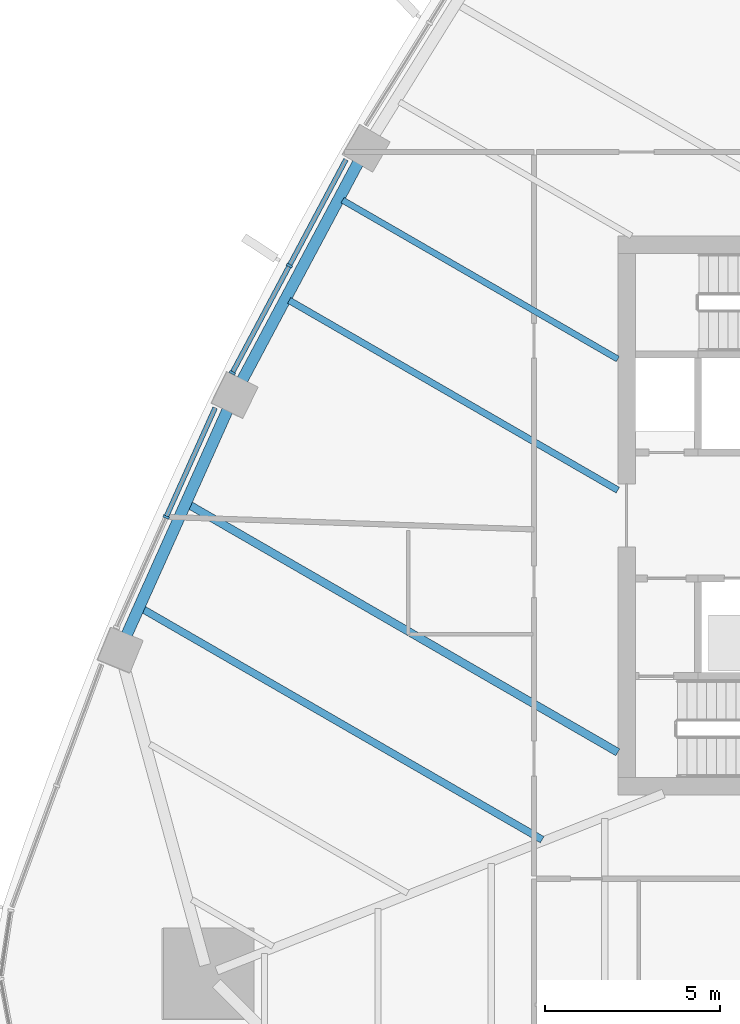
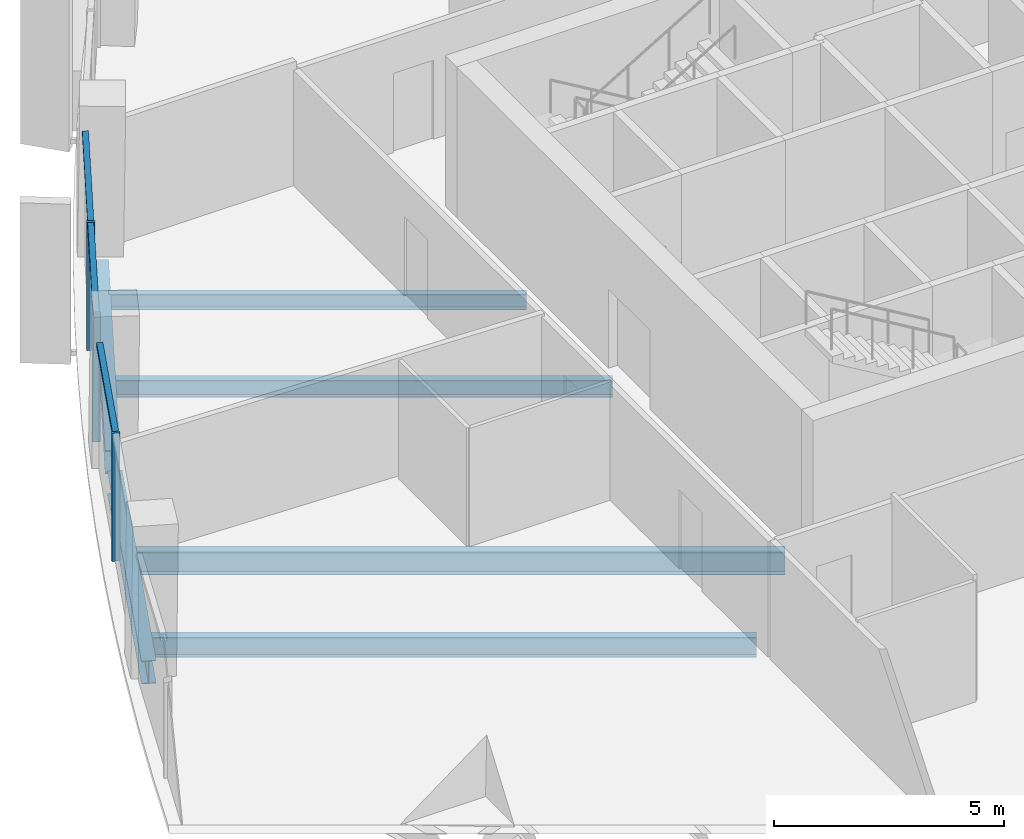
# One storey, part 3 of 19: 6 beams, 6 members, 2 elements without a shape of their own.
"""IFC4 building model written with IfcOpenShell, lengths in metres."""

from ifc_helpers import new_model, si_unit, direction, frame, origin, origin_2d, place, context, subcontext, project, spatial, rectangle, i_section, extrude, material, layer, layer_set, material_profile, profile_set, type_object, element, aggregate, save


model = new_model("IFC4")

# Units and contexts
model_context = context("Model", 3, precision=1e-05, world=origin(), true_north=direction((0.0, 1.0)))
body_context = subcontext(model_context, "Body", "Model", "MODEL_VIEW")
ifc_project = project(units=[si_unit("LENGTHUNIT", "METRE"), si_unit("AREAUNIT", "SQUARE_METRE"), si_unit("VOLUMEUNIT", "CUBIC_METRE"), si_unit("PLANEANGLEUNIT", "RADIAN"), si_unit("MASSUNIT", "GRAM", prefix="KILO")], contexts=[model_context])

# Site, building, storey
site_placement = place(None, origin())
site = spatial("IfcSite", under=ifc_project, at=site_placement, CompositionType="ELEMENT")
building_placement = place(site_placement, origin())
building = spatial("IfcBuilding", under=site, at=building_placement, Name="Sierra Prisma Convention Tower", CompositionType="ELEMENT")
storey_placement = place(building_placement, frame((0.0, 0.0, 209.800048828125)))
storey = spatial("IfcBuildingStorey", under=building, at=storey_placement, Name="L47", CompositionType="ELEMENT", Elevation=209.800048828125)

# Curtain wall, members
ifc_material_1 = material(Name="Aluminium and glass curtain wall", Category="aluminium")
ifc_layer = layer(ifc_material_1, 0.179931640625)
ifc_layer_set = layer_set([ifc_layer], Name="CW-1 Plain shaft curtain wall")
curtain_wall_type = type_object("IfcCurtainWallType", Name="CW-1 Plain shaft curtain wall", PredefinedType="NOTDEFINED", material=ifc_layer_set)
curtain_wall_1_placement = place(storey_placement, origin())
curtain_wall_1 = element("IfcCurtainWall", 1, at=curtain_wall_1_placement, inside=storey, type_object=curtain_wall_type, Name="CW-1 NW4 L47", PredefinedType="NOTDEFINED")
ifc_material_2 = material(Name="Aluminium 6063-T6 bronze anodised", Category="aluminium")
ifc_material_profile_1 = material_profile(ifc_material_2, rectangle(XDim=0.179931640625, YDim=0.070068359375, at=origin_2d()), Name="ALU MULLION 70x180")
ifc_profile_set_1 = profile_set([ifc_material_profile_1], Name="Aluminium 6063-T6 bronze anodised")
member_type_1 = type_object("IfcMemberType", Name="CW mullion bronze", PredefinedType="MULLION", material=ifc_profile_set_1)
member_1_placement = place(storey_placement, frame((-20.39794921875, 7.148681640625, 0.0), z_axis=(0.0, 0.0, 1.0), x_axis=(0.882509498251, -0.47029457311, 0.0)))
member_1 = element("IfcMember", 2, at=member_1_placement, type_object=member_type_1, Name="CW-1 mullion NW4.2", PredefinedType="MULLION", context=body_context, shape_type="SweptSolid", body=[
    extrude(rectangle(XDim=0.179931640625, YDim=0.070068359375, at=origin_2d()), origin(), (0.0, 0.0, 1.0), 3.39990234375),
])
member_2_placement = place(storey_placement, frame((-22.032470703125, 4.08154296875, 0.0), z_axis=(0.0, 0.0, 1.0), x_axis=(0.882509498251, -0.47029457311, 0.0)))
member_2 = element("IfcMember", 3, at=member_2_placement, type_object=member_type_1, Name="CW-1 mullion NW4.3", PredefinedType="MULLION", context=body_context, shape_type="SweptSolid", body=[
    extrude(rectangle(XDim=0.179931640625, YDim=0.070068359375, at=origin_2d()), origin(), (0.0, 0.0, 1.0), 3.39990234375),
])

# Curtain wall, member
curtain_wall_2_placement = place(storey_placement, origin())
curtain_wall_2 = element("IfcCurtainWall", 4, at=curtain_wall_2_placement, inside=storey, type_object=curtain_wall_type, Name="CW-1 NW5 L47", PredefinedType="NOTDEFINED")
member_3_placement = place(storey_placement, frame((-23.9248046875, -0.046142578125, 0.0), z_axis=(0.0, 0.0, 1.0), x_axis=(0.91240422521, -0.409290275745, 0.0)))
member_3 = element("IfcMember", 5, at=member_3_placement, type_object=member_type_1, Name="CW-1 mullion NW5.2", PredefinedType="MULLION", context=body_context, shape_type="SweptSolid", body=[
    extrude(rectangle(XDim=0.179931640625, YDim=0.070068359375, at=origin_2d()), origin(), (0.0, 0.0, 1.0), 3.39990234375),
])

# Member
ifc_material_3 = material(Name="Aluminium 6063-T6 bronze anodised", Category="aluminium")
ifc_material_profile_2 = material_profile(ifc_material_3, rectangle(XDim=0.139892578125, YDim=0.1201171875, at=origin_2d()), Name="ALU TRANSOM 120x140")
ifc_profile_set_2 = profile_set([ifc_material_profile_2], Name="Aluminium 6063-T6 bronze anodised")
member_type_2 = type_object("IfcMemberType", Name="CW transom bronze", PredefinedType="USERDEFINED", material=ifc_profile_set_2)
member_4_placement = place(storey_placement, frame((-18.780029296875, 10.184814453125, 3.33984375), z_axis=(-0.470290531158, -0.882511652219, 0.0), x_axis=(0.882511652219, -0.470290531158, 0.0)))
member_4 = element("IfcMember", 6, at=member_4_placement, type_object=member_type_2, Name="CW-1 transom NW4.1", ObjectType="TRANSOM", PredefinedType="USERDEFINED", context=body_context, shape_type="SweptSolid", body=[
    extrude(rectangle(XDim=0.139892578125, YDim=0.1201171875, at=origin_2d()), origin(), (0.0, 0.0, 1.0), 3.405517578125),
])

member_5_placement = place(storey_placement, frame((-20.41455078125, 7.11767578125, 3.33984375), z_axis=(-0.470290531158, -0.882511652219, 0.0), x_axis=(0.882511652219, -0.470290531158, 0.0)))
member_5 = element("IfcMember", 7, at=member_5_placement, type_object=member_type_2, Name="CW-1 transom NW4.2", ObjectType="TRANSOM", PredefinedType="USERDEFINED", context=body_context, shape_type="SweptSolid", body=[
    extrude(rectangle(XDim=0.139892578125, YDim=0.1201171875, at=origin_2d()), origin(), (0.0, 0.0, 1.0), 3.405517578125),
])

aggregate(curtain_wall_1, [member_1, member_2, member_4, member_5])

member_6_placement = place(storey_placement, frame((-22.523193359375, 3.078369140625, 3.33984375), z_axis=(-0.40931025282, -0.912395263544, 0.0), x_axis=(0.912395263544, -0.40931025282, 0.0)))
member_6 = element("IfcMember", 8, at=member_6_placement, type_object=member_type_2, Name="CW-1 transom NW5.1", ObjectType="TRANSOM", PredefinedType="USERDEFINED", context=body_context, shape_type="SweptSolid", body=[
    extrude(rectangle(XDim=0.139892578125, YDim=0.1201171875, at=origin_2d()), origin(), (0.0, 0.0, 1.0), 3.3896484375),
])

aggregate(curtain_wall_2, [member_3, member_6])

# Beams
ifc_material_4 = material(Name="Steel ASTM A992 Gr 50", Category="steel")
ifc_material_profile_3 = material_profile(ifc_material_4, i_section(OverallWidth=0.177978515625, OverallDepth=0.406982421875, WebThickness=0.0078125, FlangeThickness=0.0126953125, at=origin_2d()), Name="W410x60")
ifc_profile_set_3 = profile_set([ifc_material_profile_3], Name="Steel ASTM A992 Gr 50")
beam_type_1 = type_object("IfcBeamType", Name="Floor joist W410x60", PredefinedType="JOIST", material=ifc_profile_set_3)
beam_1_placement = place(storey_placement, frame((-18.875732421875, 9.022216796875, -0.353515625), z_axis=(0.866034033121, -0.499985053252, 0.0), x_axis=(0.499985053252, 0.866034033121, 0.0)))
element("IfcBeam", 9, at=beam_1_placement, inside=storey, type_object=beam_type_1, Name="Floor joist L47 NW08", PredefinedType="JOIST", context=body_context, shape_type="SweptSolid", body=[
    extrude(i_section(OverallWidth=0.177978515625, OverallDepth=0.406982421875, WebThickness=0.0078125, FlangeThickness=0.0126953125, at=origin_2d()), origin(), (0.0, 0.0, 1.0), 9.093994140625),
])
ifc_material_5 = material(Name="Steel ASTM A992 Gr 50", Category="steel")
ifc_material_profile_4 = material_profile(ifc_material_5, i_section(OverallWidth=0.18994140625, OverallDepth=0.45703125, WebThickness=0.009033203125, FlangeThickness=0.014404296875, at=origin_2d()), Name="W460x74")
ifc_profile_set_4 = profile_set([ifc_material_profile_4], Name="Steel ASTM A992 Gr 50")
beam_type_2 = type_object("IfcBeamType", Name="Floor joist W460x74", PredefinedType="JOIST", material=ifc_profile_set_4)
beam_2_placement = place(storey_placement, frame((-20.404296875, 6.15380859375, -0.378662109375), z_axis=(0.866030586491, -0.499991023182, 0.0), x_axis=(0.499991023182, 0.866030586491, 0.0)))
element("IfcBeam", 10, at=beam_2_placement, inside=storey, type_object=beam_type_2, Name="Floor joist L47 NW09", PredefinedType="JOIST", context=body_context, shape_type="SweptSolid", body=[
    extrude(i_section(OverallWidth=0.18994140625, OverallDepth=0.45703125, WebThickness=0.009033203125, FlangeThickness=0.014404296875, at=origin_2d()), origin(), (0.0, 0.0, 1.0), 10.859130859375),
])
ifc_material_6 = material(Name="Steel ASTM A992 Gr 50", Category="steel")
ifc_material_profile_5 = material_profile(ifc_material_6, i_section(OverallWidth=0.208984375, OverallDepth=0.532958984375, WebThickness=0.01025390625, FlangeThickness=0.015625, at=origin_2d()), Name="W530x92")
ifc_profile_set_5 = profile_set([ifc_material_profile_5], Name="Steel ASTM A992 Gr 50")
beam_type_3 = type_object("IfcBeamType", Name="Floor joist W530x92", PredefinedType="JOIST", material=ifc_profile_set_5)
beam_3_placement = place(storey_placement, frame((-24.598388671875, -2.677734375, -0.41650390625), z_axis=(0.866021142318, -0.500007381003, 0.0), x_axis=(0.500007381003, 0.866021142318, 0.0)))
element("IfcBeam", 11, at=beam_3_placement, inside=storey, type_object=beam_type_3, Name="Floor joist L47 NW12", PredefinedType="JOIST", context=body_context, shape_type="SweptSolid", body=[
    extrude(i_section(OverallWidth=0.208984375, OverallDepth=0.532958984375, WebThickness=0.01025390625, FlangeThickness=0.015625, at=origin_2d()), origin(), (0.0, 0.0, 1.0), 13.202392578125),
])
ifc_material_7 = material(Name="Steel ASTM A992 Gr 50", Category="steel")
ifc_material_profile_6 = material_profile(ifc_material_7, i_section(OverallWidth=0.22802734375, OverallDepth=0.60302734375, WebThickness=0.010498046875, FlangeThickness=0.014892578125, at=origin_2d()), Name="W610x101")
ifc_profile_set_6 = profile_set([ifc_material_profile_6], Name="Steel ASTM A992 Gr 50")
beam_type_4 = type_object("IfcBeamType", Name="Floor joist W610x101", PredefinedType="JOIST", material=ifc_profile_set_6)
beam_4_placement = place(storey_placement, frame((-23.261962890625, 0.3017578125, -0.45166015625), z_axis=(0.866021052878, -0.500007535915, 0.0), x_axis=(0.500007535915, 0.866021052878, 0.0)))
element("IfcBeam", 12, at=beam_4_placement, inside=storey, type_object=beam_type_4, Name="Floor joist L47 NW11", PredefinedType="JOIST", context=body_context, shape_type="SweptSolid", body=[
    extrude(i_section(OverallWidth=0.22802734375, OverallDepth=0.60302734375, WebThickness=0.010498046875, FlangeThickness=0.014892578125, at=origin_2d()), origin(), (0.0, 0.0, 1.0), 14.158935546875),
])
ifc_material_8 = material(Name="Steel ASTM A992 Gr 50", Category="steel")
ifc_material_profile_7 = material_profile(ifc_material_8, i_section(OverallWidth=0.324951171875, OverallDepth=0.615966796875, WebThickness=0.013916015625, FlangeThickness=0.021484375, at=origin_2d()), Name="W610x174")
ifc_profile_set_7 = profile_set([ifc_material_profile_7], Name="Steel ASTM A992 Gr 50")
beam_type_5 = type_object("IfcBeamType", Name="Spandrel beam W610x174", PredefinedType="BEAM", material=ifc_profile_set_7)
for number, where, z_axis, x_axis, name in (
    (13, (-18.3876953125, 10.17724609375, -0.4580078125), (-0.47030152622, -0.882505792862, 0.0), (0.882505792862, -0.47030152622, 0.0), "Spandrel L47-16"),
    (14, (-22.13134765625, 3.097412109375, -0.4580078125), (-0.409273475475, -0.912411761363, 0.0), (0.912411761363, -0.409273475475, 0.0), "Spandrel L47-17"),
):
    element("IfcBeam", number, at=place(storey_placement, frame(where, z_axis=z_axis, x_axis=x_axis)), inside=storey, type_object=beam_type_5, Name=name, PredefinedType="BEAM", context=body_context, shape_type="SweptSolid", body=[
        extrude(i_section(OverallWidth=0.324951171875, OverallDepth=0.615966796875, WebThickness=0.013916015625, FlangeThickness=0.021484375, at=origin_2d()), origin(), (0.0, 0.0, 1.0), 7.2490234375),
    ])

save(model, "model.ifc")
